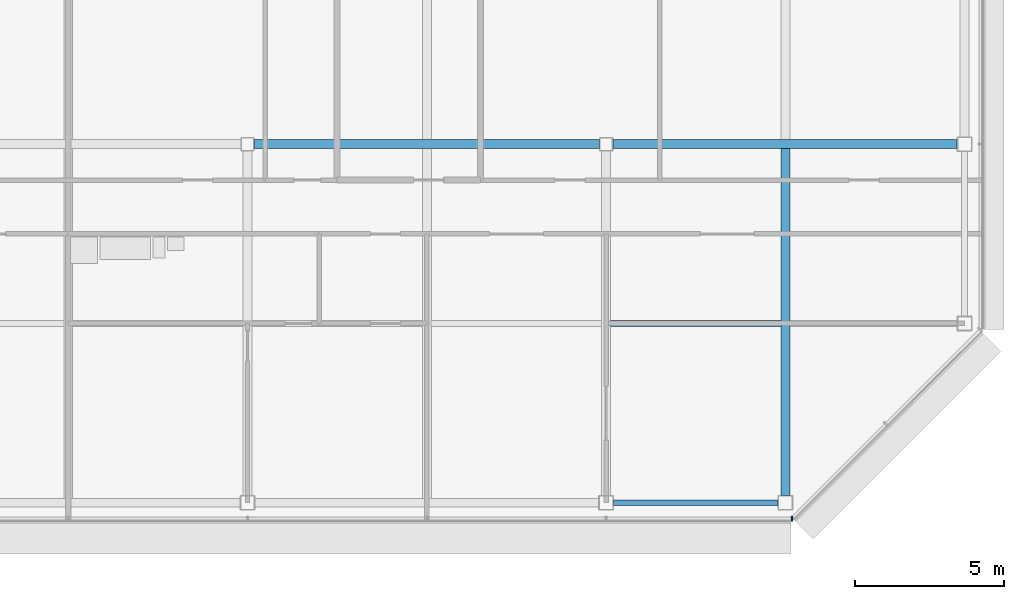
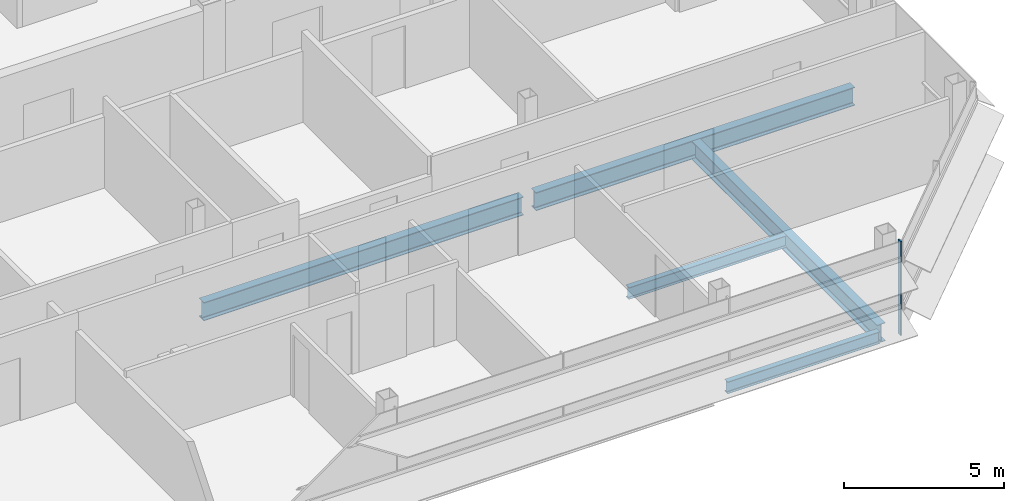
# One storey, part 11 of 27: 5 beams, 1 member, 1 element without a shape of its own.
"""IFC4 building model written with IfcOpenShell, lengths in metres."""

import ifcopenshell
import ifcopenshell.guid

model = None  # the IFC model being written
_history = None  # IfcOwnerHistory: only IFC2X3 demands one
_inside = {}  # id of a spatial element -> (the spatial element, [elements in it])
_under = {}  # id of a project, library or spatial element -> (it, [spatial elements below it])
_declared = {}  # id of a project -> (the project, [libraries it declares])
_typed = {}  # id of a type object -> (the type object, [elements of that type])
_made_of = {}  # id of a material, layer set ... -> (it, [elements and type objects made of it])


def new_model(schema):
    """Start an empty IFC model of exactly this schema.

    Asked for "IFC4X3", IfcOpenShell would pick the latest addendum, in which some entities
    have other attributes; the version numbers below select the first issue.
    IFC2X3 requires an IfcOwnerHistory on every rooted entity: one is made here for all.
    """
    global model, _history
    if schema == "IFC4X3":
        model = ifcopenshell.file(schema_version=(4, 3, 0, 0))
    else:
        model = ifcopenshell.file(schema=schema)
    _inside.clear()
    _under.clear()
    _declared.clear()
    _typed.clear()
    _made_of.clear()
    _history = None
    if model.schema == "IFC2X3":
        org = make("IfcOrganization", Name="unknown")
        user = make(
            "IfcPersonAndOrganization",
            ThePerson=make("IfcPerson", FamilyName="unknown"),
            TheOrganization=org,
        )
        app = make(
            "IfcApplication",
            ApplicationDeveloper=org,
            Version="unknown",
            ApplicationFullName="unknown",
            ApplicationIdentifier="unknown",
        )
        _history = make(
            "IfcOwnerHistory",
            OwningUser=user,
            OwningApplication=app,
            ChangeAction="ADDED",
            CreationDate=0,
        )
    return model


def make(cls, **values):
    """One entity of the class cls with the attributes given. An attribute that is None is left unset."""
    return model.create_entity(
        cls, **{name: value for name, value in values.items() if value is not None}
    )


def rooted(cls, **values):
    """An entity with a GlobalId (a new one), such as an element, a storey or a relation."""
    return make(cls, GlobalId=ifcopenshell.guid.new(), OwnerHistory=_history, **values)


def si_unit(unit_type, name, prefix=None):
    """IfcSIUnit, for example si_unit("LENGTHUNIT", "METRE", prefix="MILLI")."""
    return make("IfcSIUnit", UnitType=unit_type, Prefix=prefix, Name=name)


def assignment(units):
    """IfcUnitAssignment: the units of a project."""
    return None if units is None else make("IfcUnitAssignment", Units=units)


def point(xyz):
    """IfcCartesianPoint."""
    return None if xyz is None else make("IfcCartesianPoint", Coordinates=xyz)


def direction(xyz):
    """IfcDirection."""
    return None if xyz is None else make("IfcDirection", DirectionRatios=xyz)


def frame(location, z_axis=None, x_axis=None):
    """IfcAxis2Placement3D, a coordinate frame: its origin and axes. An axis left out is left unset."""
    return make(
        "IfcAxis2Placement3D",
        Location=point(location),
        Axis=direction(z_axis),
        RefDirection=direction(x_axis),
    )


def frame_2d(location, x_axis=None):
    """IfcAxis2Placement2D, a coordinate frame in the plane: its origin and x axis."""
    return make(
        "IfcAxis2Placement2D", Location=point(location), RefDirection=direction(x_axis)
    )


def origin():
    """The frame at (0, 0, 0) with its axes left unset."""
    return frame((0.0, 0.0, 0.0))


def origin_2d():
    """The frame at (0, 0) in the plane with its x axis left unset."""
    return frame_2d((0.0, 0.0))


def place(relative_to, where):
    """IfcLocalPlacement: puts the frame where relative to a parent placement (None: the world)."""
    return make(
        "IfcLocalPlacement", PlacementRelTo=relative_to, RelativePlacement=where
    )


def context(
    kind, dimensions, precision=None, world=None, true_north=None, identifier=None
):
    """IfcGeometricRepresentationContext, for example the 3D "Model" context."""
    return make(
        "IfcGeometricRepresentationContext",
        ContextIdentifier=identifier,
        ContextType=kind,
        CoordinateSpaceDimension=dimensions,
        Precision=precision,
        WorldCoordinateSystem=world,
        TrueNorth=true_north,
    )


def subcontext(parent, identifier, kind, view, scale=None):
    """IfcGeometricRepresentationSubContext, for example "Body" below "Model"."""
    return make(
        "IfcGeometricRepresentationSubContext",
        ContextIdentifier=identifier,
        ContextType=kind,
        ParentContext=parent,
        TargetScale=scale,
        TargetView=view,
    )


def project(units=None, contexts=None):
    """IfcProject with its units and contexts."""
    return rooted(
        "IfcProject",
        Name="project",
        RepresentationContexts=contexts,
        UnitsInContext=assignment(units),
    )


def spatial(cls, under=None, at=None, **own):
    """A site, building, storey or space (cls), placed at a placement, below another one or the project."""
    s = rooted(cls, ObjectPlacement=at, **own)
    if under is not None:
        _under.setdefault(under.id(), (under, []))[1].append(s)
    return s


def profile(cls, at=None, kind="AREA", **sizes):
    """A parametric profile (cls). Its sizes go by their IFC names, for example OverallWidth=200.0."""
    return make(cls, ProfileType=kind, Position=at, **sizes)


def rectangle(**sizes):
    """IfcRectangleProfileDef."""
    return profile("IfcRectangleProfileDef", **sizes)


def i_section(**sizes):
    """IfcIShapeProfileDef."""
    return profile("IfcIShapeProfileDef", **sizes)


def extrude(swept, where, along, depth):
    """IfcExtrudedAreaSolid: the profile swept, set in the frame where, extruded along a direction by depth."""
    return make(
        "IfcExtrudedAreaSolid",
        SweptArea=swept,
        Position=where,
        ExtrudedDirection=direction(along),
        Depth=depth,
    )


def shape(context_of_items, identifier, shape_type, items):
    """IfcShapeRepresentation: the items that make up one representation, for example the "Body"."""
    return make(
        "IfcShapeRepresentation",
        ContextOfItems=context_of_items,
        RepresentationIdentifier=identifier,
        RepresentationType=shape_type,
        Items=items,
    )


def material(Name=None, Category=None):
    """IfcMaterial."""
    return make("IfcMaterial", Name=Name, Category=Category)


def material_profile(
    of_material, cross_section, Name=None, Category=None, Priority=None
):
    """IfcMaterialProfile: a cross section and its material."""
    return make(
        "IfcMaterialProfile",
        Name=Name,
        Material=of_material,
        Profile=cross_section,
        Priority=Priority,
        Category=Category,
    )


def profile_set(profiles, Name=None, composite=None):
    """IfcMaterialProfileSet."""
    return make(
        "IfcMaterialProfileSet",
        Name=Name,
        MaterialProfiles=profiles,
        CompositeProfile=composite,
    )


def made_of(thing, what):
    """Note that an element or type object is made of a material, layer set ...; save() writes the relation."""
    if what is not None:
        _made_of.setdefault(what.id(), (what, []))[1].append(thing)
    return thing


def type_object(cls, material=None, **own):
    """A type object (cls), such as IfcWallType, which elements share."""
    return made_of(rooted(cls, **own), material)


def element(
    cls,
    number,
    at=None,
    inside=None,
    cuts=None,
    type_object=None,
    material=None,
    context=None,
    identifier="Body",
    shape_type=None,
    held_by="IfcProductDefinitionShape",
    body=None,
    shapes=None,
    **own,
):
    """One element of the class cls, such as IfcWall. Its Tag is "e" and its number.

    at: its placement. inside: the storey or other place that contains it. cuts: it is an
    opening in that element (IfcRelVoidsElement). A single representation is given by context,
    identifier, shape_type and body (its items); several are given by shapes. held_by: the class
    of the entity that holds the representations. save() writes the other relations.
    """
    e = rooted(cls, Tag="e%d" % number, ObjectPlacement=at, **own)
    if body is not None:
        shapes = [shape(context, identifier, shape_type, body)]
    if shapes is not None:
        e.Representation = make(held_by, Representations=shapes)
    if inside is not None:
        _inside.setdefault(inside.id(), (inside, []))[1].append(e)
    if cuts is not None:
        rooted(
            "IfcRelVoidsElement", RelatingBuildingElement=cuts, RelatedOpeningElement=e
        )
    if type_object is not None:
        _typed.setdefault(type_object.id(), (type_object, []))[1].append(e)
    return made_of(e, material)


def aggregate(whole, parts):
    """IfcRelAggregates: a whole, such as a stair, and the parts it consists of."""
    return rooted("IfcRelAggregates", RelatingObject=whole, RelatedObjects=parts)


def save(model, path):
    """Write the relations noted so far, then the file.

    IfcRelAggregates (storeys below a building ...), IfcRelContainedInSpatialStructure (elements
    in a storey), IfcRelDefinesByType, IfcRelAssociatesMaterial and IfcRelDeclares: one each for
    every whole, place, type object, material and project.
    """
    for whole, parts in _under.values():
        aggregate(whole, parts)
    for where, things in _inside.values():
        rooted(
            "IfcRelContainedInSpatialStructure",
            RelatedElements=things,
            RelatingStructure=where,
        )
    for kind, things in _typed.values():
        rooted("IfcRelDefinesByType", RelatedObjects=things, RelatingType=kind)
    for what, things in _made_of.values():
        rooted("IfcRelAssociatesMaterial", RelatedObjects=things, RelatingMaterial=what)
    for by, libraries in _declared.values():
        rooted("IfcRelDeclares", RelatingContext=by, RelatedDefinitions=libraries)
    model.write(path)


model = new_model("IFC4")

# Units and contexts
model_context = context("Model", 3, precision=1e-05, world=origin(), true_north=direction((0.0, 1.0)))
body_context = subcontext(model_context, "Body", "Model", "MODEL_VIEW")
ifc_project = project(units=[si_unit("LENGTHUNIT", "METRE"), si_unit("AREAUNIT", "SQUARE_METRE"), si_unit("VOLUMEUNIT", "CUBIC_METRE"), si_unit("PLANEANGLEUNIT", "RADIAN"), si_unit("MASSUNIT", "GRAM", prefix="KILO")], contexts=[model_context])

# Site, building, storey
site_placement = place(None, origin())
site = spatial("IfcSite", under=ifc_project, at=site_placement, CompositionType="ELEMENT")
building_placement = place(site_placement, origin())
building = spatial("IfcBuilding", under=site, at=building_placement, Name="Sorahane Residences", CompositionType="ELEMENT")
storey_placement = place(building_placement, frame((0.0, 0.0, 323.199951171875)))
storey = spatial("IfcBuildingStorey", under=building, at=storey_placement, Name="L77", CompositionType="ELEMENT", Elevation=323.199951171875)

# Curtain wall, member
ifc_material_1 = material(Name="Dark low-e glass and black anodised aluminium", Category="aluminium")
curtain_wall_type = type_object("IfcCurtainWallType", Name="Curtain wall CW-1 Typical unitised wall", PredefinedType="NOTDEFINED", material=ifc_material_1)
curtain_wall_placement = place(storey_placement, origin())
curtain_wall = element("IfcCurtainWall", 1, at=curtain_wall_placement, inside=storey, type_object=curtain_wall_type, Name="CW-1 curtain wall L77 S1", PredefinedType="NOTDEFINED")
ifc_material_2 = material(Name="Black anodised aluminium", Category="aluminium")
ifc_material_profile_1 = material_profile(ifc_material_2, rectangle(XDim=0.159912109375, YDim=0.050048828125, at=origin_2d()), Name="Curtain wall mullion CW-1 black anodised aluminium 50x160")
ifc_profile_set_1 = profile_set([ifc_material_profile_1], Name="Black anodised aluminium")
member_type = type_object("IfcMemberType", Name="Curtain wall mullion CW-1 black anodised aluminium 50x160", PredefinedType="MULLION", material=ifc_profile_set_1)
member_placement = place(storey_placement, frame((42.2236328125, -0.5400390625, -0.179931640625), z_axis=(0.0, 0.0, 1.0), x_axis=(0.0, -1.0, 0.0)))
member = element("IfcMember", 2, at=member_placement, type_object=member_type, Name="CW-1 mullion L77 S1.10", PredefinedType="MULLION", context=body_context, shape_type="SweptSolid", body=[
    extrude(rectangle(XDim=0.159912109375, YDim=0.050048828125, at=origin_2d()), origin(), (0.0, 0.0, 1.0), 3.60009765625),
])
aggregate(curtain_wall, [member])

# Beams
ifc_material_3 = material(Name="Steel Q355B", Category="steel")
ifc_material_profile_2 = material_profile(ifc_material_3, i_section(OverallWidth=0.199951171875, OverallDepth=0.449951171875, WebThickness=0.009033203125, FlangeThickness=0.013916015625, FilletRadius=0.02001953125, at=origin_2d()), Name="HN 450x200x9x14")
ifc_profile_set_2 = profile_set([ifc_material_profile_2], Name="Steel Q355B")
beam_type_1 = type_object("IfcBeamType", Name="Steel floor beam HN 450x200x9x14 Q355B", PredefinedType="BEAM", material=ifc_profile_set_2)
beam_1_placement = place(storey_placement, frame((36.25, 0.0, -0.405029296875), z_axis=(1.0, 0.0, 0.0), x_axis=(0.0, 1.0, 0.0)))
element("IfcBeam", 3, at=beam_1_placement, inside=storey, type_object=beam_type_1, Name="Beam L77 004", PredefinedType="BEAM", context=body_context, shape_type="SweptSolid", body=[
    extrude(i_section(OverallWidth=0.199951171875, OverallDepth=0.449951171875, WebThickness=0.009033203125, FlangeThickness=0.013916015625, FilletRadius=0.02001953125, at=origin_2d()), origin(), (0.0, 0.0, 1.0), 5.5),
])
beam_2_placement = place(storey_placement, frame((36.14990234375, 6.0, -0.405029296875), z_axis=(1.0, 0.0, 0.0), x_axis=(0.0, 1.0, 0.0)))
element("IfcBeam", 4, at=beam_2_placement, inside=storey, type_object=beam_type_1, Name="Beam L77 074", PredefinedType="BEAM", context=body_context, shape_type="SweptSolid", body=[
    extrude(i_section(OverallWidth=0.199951171875, OverallDepth=0.449951171875, WebThickness=0.009033203125, FlangeThickness=0.013916015625, FilletRadius=0.02001953125, at=origin_2d()), origin(), (0.0, 0.0, 1.0), 5.7001953125),
])
ifc_material_4 = material(Name="Steel Q355B", Category="steel")
ifc_material_profile_3 = material_profile(ifc_material_4, i_section(OverallWidth=0.300048828125, OverallDepth=0.699951171875, WebThickness=0.012939453125, FlangeThickness=0.02392578125, FilletRadius=0.028076171875, at=origin_2d()), Name="HN 700x300x13x24")
ifc_profile_set_3 = profile_set([ifc_material_profile_3], Name="Steel Q355B")
beam_type_2 = type_object("IfcBeamType", Name="Steel floor beam HN 700x300x13x24 Q355B", PredefinedType="BEAM", material=ifc_profile_set_3)
beam_3_placement = place(storey_placement, frame((24.22509765625, 12.0, -0.530029296875), z_axis=(1.0, 0.0, 0.0), x_axis=(0.0, 1.0, 0.0)))
element("IfcBeam", 5, at=beam_3_placement, inside=storey, type_object=beam_type_2, Name="Beam L77 009", PredefinedType="BEAM", context=body_context, shape_type="SweptSolid", body=[
    extrude(i_section(OverallWidth=0.300048828125, OverallDepth=0.699951171875, WebThickness=0.012939453125, FlangeThickness=0.02392578125, FilletRadius=0.028076171875, at=origin_2d()), origin(), (0.0, 0.0, 1.0), 11.5498046875),
])
beam_4_placement = place(storey_placement, frame((36.22509765625, 12.0, -0.530029296875), z_axis=(1.0, 0.0, 0.0), x_axis=(0.0, 1.0, 0.0)))
element("IfcBeam", 6, at=beam_4_placement, inside=storey, type_object=beam_type_2, Name="Beam L77 010", PredefinedType="BEAM", context=body_context, shape_type="SweptSolid", body=[
    extrude(i_section(OverallWidth=0.300048828125, OverallDepth=0.699951171875, WebThickness=0.012939453125, FlangeThickness=0.02392578125, FilletRadius=0.028076171875, at=origin_2d()), origin(), (0.0, 0.0, 1.0), 11.52490234375),
])
beam_5_placement = place(storey_placement, frame((42.0, 0.25, -0.530029296875), z_axis=(0.0, 1.0, 0.0), x_axis=(-1.0, 0.0, 0.0)))
element("IfcBeam", 7, at=beam_5_placement, inside=storey, type_object=beam_type_2, Name="Beam L77 056", PredefinedType="BEAM", context=body_context, shape_type="SweptSolid", body=[
    extrude(i_section(OverallWidth=0.300048828125, OverallDepth=0.699951171875, WebThickness=0.012939453125, FlangeThickness=0.02392578125, FilletRadius=0.028076171875, at=origin_2d()), origin(), (0.0, 0.0, 1.0), 11.60009765625),
])

save(model, "model.ifc")
